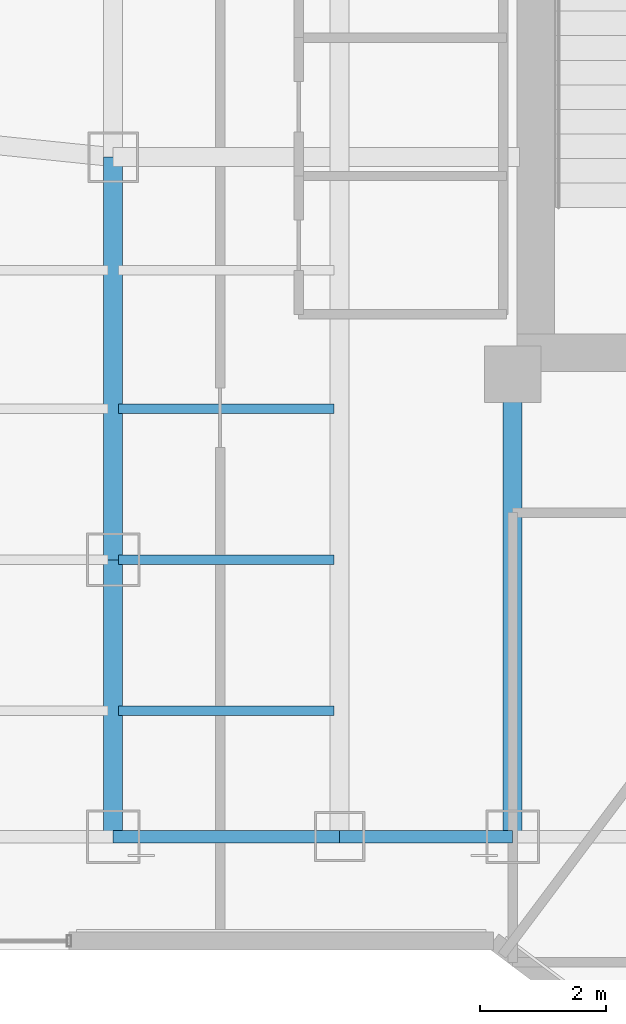
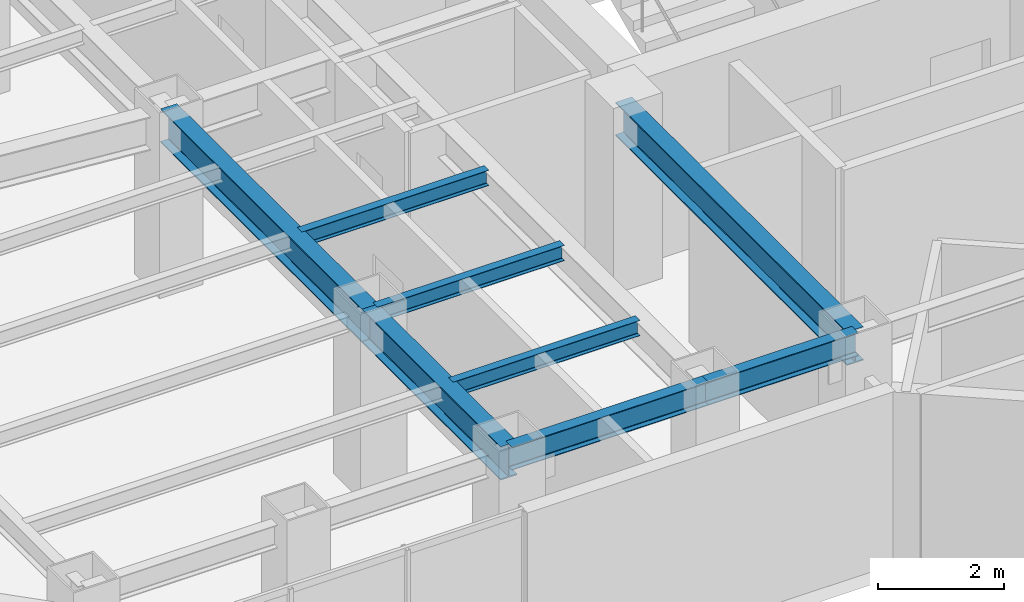
# One storey, part 5 of 26: 8 beams.
"""IFC4 building model written with IfcOpenShell, lengths in metres."""

from ifc_helpers import new_model, si_unit, direction, frame, origin, origin_2d, place, context, subcontext, project, spatial, i_section, extrude, material, material_profile, profile_set, type_object, element, save


model = new_model("IFC4")

# Units and contexts
model_context = context("Model", 3, precision=1e-05, world=origin(), true_north=direction((0.0, 1.0)))
body_context = subcontext(model_context, "Body", "Model", "MODEL_VIEW")
ifc_project = project(units=[si_unit("LENGTHUNIT", "METRE"), si_unit("AREAUNIT", "SQUARE_METRE"), si_unit("VOLUMEUNIT", "CUBIC_METRE"), si_unit("PLANEANGLEUNIT", "RADIAN"), si_unit("MASSUNIT", "GRAM", prefix="KILO")], contexts=[model_context])

# Site, building, storey
site_placement = place(None, origin())
site = spatial("IfcSite", under=ifc_project, at=site_placement, CompositionType="ELEMENT")
building_placement = place(site_placement, origin())
building = spatial("IfcBuilding", under=site, at=building_placement, Name="Hatsunagi Terrace Concourse", CompositionType="ELEMENT")
storey_placement = place(building_placement, frame((0.0, 0.0, 152.85009765625)))
storey = spatial("IfcBuildingStorey", under=building, at=storey_placement, Name="L40", CompositionType="ELEMENT", Elevation=152.85009765625)

# Beams
ifc_material_1 = material(Name="Steel SN490B", Category="steel")
ifc_material_profile_1 = material_profile(ifc_material_1, i_section(OverallWidth=0.14990234375, OverallDepth=0.300048828125, WebThickness=0.006591796875, FlangeThickness=0.009033203125, FilletRadius=0.010986328125, at=origin_2d()), Name="H-300x150x6.5x9")
ifc_profile_set_1 = profile_set([ifc_material_profile_1], Name="Steel SN490B")
beam_type_1 = type_object("IfcBeamType", Name="OfficeJoist_H_300x150", PredefinedType="JOIST", material=ifc_profile_set_1)
for number, where, z_axis, x_axis, name in (
    (1, (19.284912109375, 27.199951171875, 3.199951171875), (1.0, 0.0, 0.0), (0.0, 1.0, 0.0), "Beam J-03 J-L40-W-19-272"),
    (2, (19.284912109375, 29.60009765625, 3.199951171875), (1.0, 0.0, 0.0), (0.0, 1.0, 0.0), "Beam J-03 J-L40-W-19-296"),
    (3, (19.284912109375, 32.0, 3.199951171875), (1.0, 0.0, 0.0), (0.0, 1.0, 0.0), "Beam J-03 J-L40-W-19-320"),
):
    element("IfcBeam", number, at=place(storey_placement, frame(where, z_axis=z_axis, x_axis=x_axis)), inside=storey, type_object=beam_type_1, Name=name, PredefinedType="JOIST", context=body_context, shape_type="SweptSolid", body=[
        extrude(i_section(OverallWidth=0.14990234375, OverallDepth=0.300048828125, WebThickness=0.006591796875, FlangeThickness=0.009033203125, FilletRadius=0.010986328125, at=origin_2d()), origin(), (0.0, 0.0, 1.0), 3.43017578125),
    ])
ifc_material_2 = material(Name="Steel SN490B", Category="steel")
ifc_material_profile_2 = material_profile(ifc_material_2, i_section(OverallWidth=0.300048828125, OverallDepth=0.64990234375, WebThickness=0.012939453125, FlangeThickness=0.02197265625, FilletRadius=0.01806640625, at=origin_2d()), Name="H-650x300x13x22")
ifc_profile_set_2 = profile_set([ifc_material_profile_2], Name="Steel SN490B")
beam_type_2 = type_object("IfcBeamType", Name="OfficeLowGirder_H_650x300", PredefinedType="BEAM", material=ifc_profile_set_2)
beam_1_placement = place(storey_placement, frame((25.550048828125, 25.199951171875, 3.02490234375), z_axis=(0.0, 1.0, 0.0), x_axis=(-1.0, 0.0, 0.0)))
element("IfcBeam", 4, at=beam_1_placement, inside=storey, type_object=beam_type_2, Name="Beam G-05 BM-L40-K1CA", PredefinedType="BEAM", context=body_context, shape_type="SweptSolid", body=[
    extrude(i_section(OverallWidth=0.300048828125, OverallDepth=0.64990234375, WebThickness=0.012939453125, FlangeThickness=0.02197265625, FilletRadius=0.01806640625, at=origin_2d()), origin(), (0.0, 0.0, 1.0), 7.35009765625),
])
beam_2_placement = place(storey_placement, frame((19.199951171875, 25.199951171875, 3.02490234375), z_axis=(0.0, 1.0, 0.0), x_axis=(-1.0, 0.0, 0.0)))
element("IfcBeam", 5, at=beam_2_placement, inside=storey, type_object=beam_type_2, Name="Beam G-05 BM-L40-NS-19-25", PredefinedType="BEAM", context=body_context, shape_type="SweptSolid", body=[
    extrude(i_section(OverallWidth=0.300048828125, OverallDepth=0.64990234375, WebThickness=0.012939453125, FlangeThickness=0.02197265625, FilletRadius=0.01806640625, at=origin_2d()), origin(), (0.0, 0.0, 1.0), 4.400146484375),
])
beam_3_placement = place(storey_placement, frame((19.199951171875, 29.60009765625, 3.02490234375), z_axis=(0.0, 1.0, 0.0), x_axis=(-1.0, 0.0, 0.0)))
element("IfcBeam", 6, at=beam_3_placement, inside=storey, type_object=beam_type_2, Name="Beam G-05 BM-L40-NS-19-29", PredefinedType="BEAM", context=body_context, shape_type="SweptSolid", body=[
    extrude(i_section(OverallWidth=0.300048828125, OverallDepth=0.64990234375, WebThickness=0.012939453125, FlangeThickness=0.02197265625, FilletRadius=0.01806640625, at=origin_2d()), origin(), (0.0, 0.0, 1.0), 6.39990234375),
])
ifc_material_3 = material(Name="Steel SN490B", Category="steel")
ifc_material_profile_3 = material_profile(ifc_material_3, i_section(OverallWidth=0.199951171875, OverallDepth=0.449951171875, WebThickness=0.009033203125, FlangeThickness=0.013916015625, FilletRadius=0.01611328125, at=origin_2d()), Name="H-450x200x9x14")
ifc_profile_set_3 = profile_set([ifc_material_profile_3], Name="Steel SN490B")
beam_type_3 = type_object("IfcBeamType", Name="PerimeterSpandrel_H_450x200", PredefinedType="SPANDREL", material=ifc_profile_set_3)
beam_4_placement = place(storey_placement, frame((19.199951171875, 25.199951171875, 3.125), z_axis=(1.0, 0.0, 0.0), x_axis=(0.0, 1.0, 0.0)))
element("IfcBeam", 7, at=beam_4_placement, inside=storey, type_object=beam_type_3, Name="Beam SP-02 BM-L40-WS-19", PredefinedType="SPANDREL", context=body_context, shape_type="SweptSolid", body=[
    extrude(i_section(OverallWidth=0.199951171875, OverallDepth=0.449951171875, WebThickness=0.009033203125, FlangeThickness=0.013916015625, FilletRadius=0.01611328125, at=origin_2d()), origin(), (0.0, 0.0, 1.0), 3.60009765625),
])
beam_5_placement = place(storey_placement, frame((22.800048828125, 25.199951171875, 3.125), z_axis=(1.0, 0.0, 0.0), x_axis=(0.0, 1.0, 0.0)))
element("IfcBeam", 8, at=beam_5_placement, inside=storey, type_object=beam_type_3, Name="Beam SP-02 BM-L40-WS-22", PredefinedType="SPANDREL", context=body_context, shape_type="SweptSolid", body=[
    extrude(i_section(OverallWidth=0.199951171875, OverallDepth=0.449951171875, WebThickness=0.009033203125, FlangeThickness=0.013916015625, FilletRadius=0.01611328125, at=origin_2d()), origin(), (0.0, 0.0, 1.0), 2.75),
])

save(model, "model.ifc")
